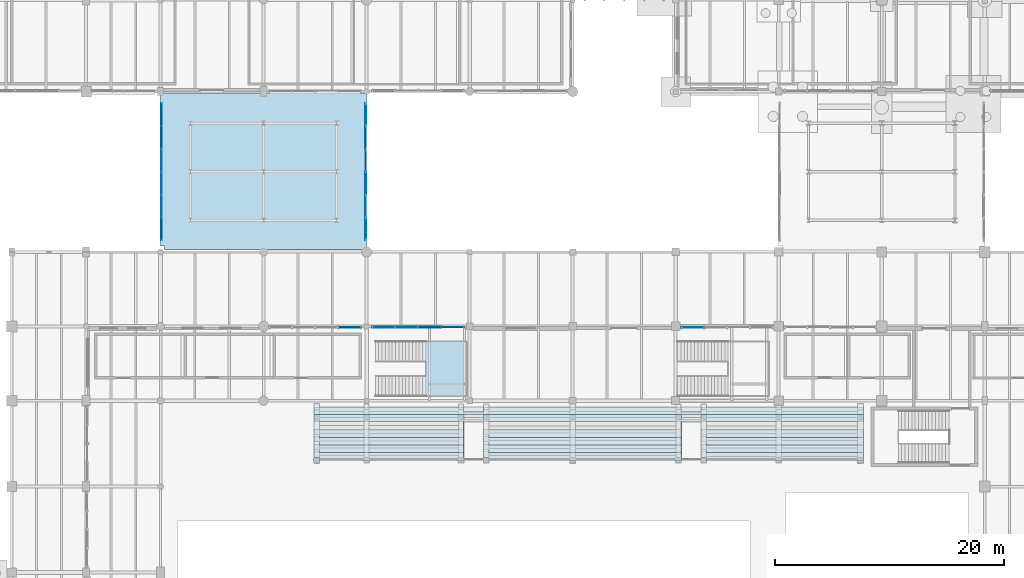
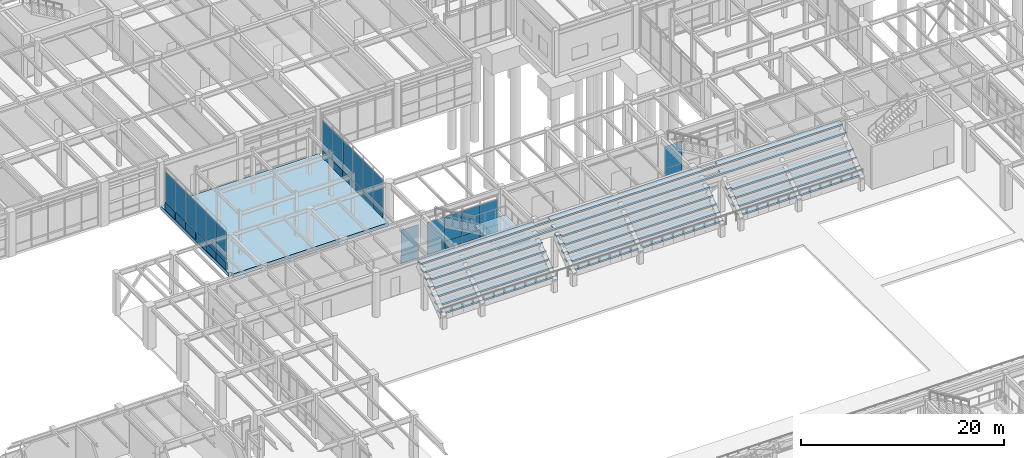
# One storey, part 155 of 203: 36 plates, 18 slabs, 6 elements without a shape of their own.
"""IFC4 building model written with IfcOpenShell, lengths in metres."""

from ifc_helpers import new_model, si_unit, direction, frame, origin, origin_2d, place, context, subcontext, project, spatial, polyline, rectangle, outline, extrude, material, layer, layer_set, type_object, element, aggregate, save


model = new_model("IFC4")

# Units and contexts
model_context = context("Model", 3, precision=1e-05, world=origin(), true_north=direction((0.0, 1.0)))
body_context = subcontext(model_context, "Body", "Model", "MODEL_VIEW")
ifc_project = project(units=[si_unit("LENGTHUNIT", "METRE"), si_unit("AREAUNIT", "SQUARE_METRE"), si_unit("VOLUMEUNIT", "CUBIC_METRE"), si_unit("PLANEANGLEUNIT", "RADIAN"), si_unit("MASSUNIT", "GRAM", prefix="KILO"), si_unit("THERMODYNAMICTEMPERATUREUNIT", "KELVIN"), si_unit("POWERUNIT", "WATT")], contexts=[model_context])

# Site, building, storey
site_placement = place(None, origin())
site = spatial("IfcSite", under=ifc_project, at=site_placement, CompositionType="ELEMENT")
building_placement = place(site_placement, origin())
building = spatial("IfcBuilding", under=site, at=building_placement, Name="Tepalcoro Natatorium and Aquatics Centre", CompositionType="ELEMENT")
storey_placement = place(building_placement, origin())
storey = spatial("IfcBuildingStorey", under=building, at=storey_placement, Name="L00", CompositionType="ELEMENT", Elevation=0.0)

# Curtain wall, plate
ifc_material_1 = material(Name="Bronze-Anodised Extruded Aluminium Alloy EN AW-6063 T6", Category="aluminium")
curtain_wall_type_1 = type_object("IfcCurtainWallType", Name="CW_LEAN_T2_NS", PredefinedType="USERDEFINED", material=ifc_material_1)
curtain_wall_1_placement = place(storey_placement, origin())
curtain_wall_1 = element("IfcCurtainWall", 1, at=curtain_wall_1_placement, inside=storey, type_object=curtain_wall_type_1, Name="V1 L00 N Unitised Curtain Wall Bay 3", ObjectType="FACETED SOLAR GLAZING", PredefinedType="USERDEFINED")
ifc_material_2 = material(Name="Solar-Control Bronze Tempered Low-E Double Glazing", Category="glass")
ifc_layer_1 = layer(ifc_material_2, 0.048095703125)
ifc_layer_set_1 = layer_set([ifc_layer_1], Name="Solar-Control Bronze Tempered Low-E Double Glazing")
plate_type_1 = type_object("IfcPlateType", Name="PL_ACOUSTIC_IGU_48", PredefinedType="CURTAIN_PANEL", material=ifc_layer_set_1)
plate_1_placement = place(storey_placement, frame((69.514892578125, 65.409912109375, 0.9599609375), z_axis=(0.0, 0.0, 1.0), x_axis=(1.0, 0.0, 0.0)))
plate_1 = element("IfcPlate", 2, at=plate_1_placement, type_object=plate_type_1, Name="CW_LEAN_T2_NS Insulated Glazing Unit", PredefinedType="CURTAIN_PANEL", context=body_context, shape_type="SweptSolid", body=[
    extrude(rectangle(XDim=1.989990234375, YDim=0.048095703125, at=origin_2d()), origin(), (0.0, 0.0, 1.0), 3.0830078125),
])

curtain_wall_type_2 = type_object("IfcCurtainWallType", Name="CW_LEAN_T2_EW", PredefinedType="USERDEFINED", material=ifc_material_1)
curtain_wall_2_placement = place(storey_placement, origin())
curtain_wall_2 = element("IfcCurtainWall", 3, at=curtain_wall_2_placement, inside=storey, type_object=curtain_wall_type_2, Name="V1 L00 N Unitised Curtain Wall Bay 4", ObjectType="FACETED SOLAR GLAZING", PredefinedType="USERDEFINED")
plate_2_placement = place(storey_placement, frame((76.5048828125, 65.419921875, 0.9599609375), z_axis=(0.0, 0.0, 1.0), x_axis=(1.0, 0.0, 0.0)))
plate_2 = element("IfcPlate", 4, at=plate_2_placement, type_object=plate_type_1, Name="CW_LEAN_T2_EW Insulated Glazing Unit", PredefinedType="CURTAIN_PANEL", context=body_context, shape_type="SweptSolid", body=[
    extrude(rectangle(XDim=1.989990234375, YDim=0.048095703125, at=origin_2d()), origin(), (0.0, 0.0, 1.0), 2.943115234375),
])

# Curtain wall, plates
curtain_wall_type_3 = type_object("IfcCurtainWallType", Name="CW_LINK_150", PredefinedType="USERDEFINED", material=ifc_material_1)
curtain_wall_3_placement = place(storey_placement, origin())
curtain_wall_3 = element("IfcCurtainWall", 5, at=curtain_wall_3_placement, inside=storey, type_object=curtain_wall_type_3, Name="West Court Swimmers Arcade Glazed Wall W L00", ObjectType="UNITISED STOREFRONT", PredefinedType="USERDEFINED")
plate_3_placement = place(storey_placement, frame((53.080078125, 78.0, 0.9599609375), z_axis=(0.0, 0.0, 1.0), x_axis=(1.0, 0.0, 0.0)))
plate_3 = element("IfcPlate", 6, at=plate_3_placement, type_object=plate_type_1, Name="CW_LINK_150 Insulated Glazing Unit", PredefinedType="CURTAIN_PANEL", context=body_context, shape_type="SweptSolid", body=[
    extrude(rectangle(XDim=0.048095703125, YDim=1.97998046875, at=origin_2d()), origin(), (0.0, 0.0, 1.0), 3.639892578125),
])
plate_4_placement = place(storey_placement, frame((53.080078125, 84.0, 0.9599609375), z_axis=(0.0, 0.0, 1.0), x_axis=(1.0, 0.0, 0.0)))
plate_4 = element("IfcPlate", 7, at=plate_4_placement, type_object=plate_type_1, Name="CW_LINK_150 Insulated Glazing Unit", PredefinedType="CURTAIN_PANEL", context=body_context, shape_type="SweptSolid", body=[
    extrude(rectangle(XDim=0.048095703125, YDim=1.97998046875, at=origin_2d()), origin(), (0.0, 0.0, 1.0), 3.639892578125),
])

curtain_wall_4_placement = place(storey_placement, origin())
curtain_wall_4 = element("IfcCurtainWall", 8, at=curtain_wall_4_placement, inside=storey, type_object=curtain_wall_type_3, Name="West Court Swimmers Arcade Glazed Wall E L00", ObjectType="UNITISED STOREFRONT", PredefinedType="USERDEFINED")
plate_5_placement = place(storey_placement, frame((70.919921875, 76.0, 0.9599609375), z_axis=(0.0, 0.0, 1.0), x_axis=(1.0, 0.0, 0.0)))
plate_5 = element("IfcPlate", 9, at=plate_5_placement, type_object=plate_type_1, Name="CW_LINK_150 Insulated Glazing Unit", PredefinedType="CURTAIN_PANEL", context=body_context, shape_type="SweptSolid", body=[
    extrude(rectangle(XDim=0.048095703125, YDim=1.97998046875, at=origin_2d()), origin(), (0.0, 0.0, 1.0), 3.639892578125),
])
plate_6_placement = place(storey_placement, frame((70.919921875, 82.0, 0.9599609375), z_axis=(0.0, 0.0, 1.0), x_axis=(1.0, 0.0, 0.0)))
plate_6 = element("IfcPlate", 10, at=plate_6_placement, type_object=plate_type_1, Name="CW_LINK_150 Insulated Glazing Unit", PredefinedType="CURTAIN_PANEL", context=body_context, shape_type="SweptSolid", body=[
    extrude(rectangle(XDim=0.048095703125, YDim=1.97998046875, at=origin_2d()), origin(), (0.0, 0.0, 1.0), 3.639892578125),
])

# Plate
ifc_layer_2 = layer(ifc_material_2, 0.028076171875)
ifc_layer_set_2 = layer_set([ifc_layer_2], Name="Solar-Control Bronze Tempered Low-E Double Glazing")
plate_type_2 = type_object("IfcPlateType", Name="PL_BRONZE_IGU_28", PredefinedType="CURTAIN_PANEL", material=ifc_layer_set_2)
plate_7_placement = place(storey_placement, frame((74.4951171875, 65.419921875, 0.9599609375), z_axis=(0.0, 0.0, 1.0), x_axis=(1.0, 0.0, 0.0)))
plate_7 = element("IfcPlate", 11, at=plate_7_placement, type_object=plate_type_2, Name="CW_LEAN_T2_EW Insulated Glazing Unit", PredefinedType="CURTAIN_PANEL", context=body_context, shape_type="SweptSolid", body=[
    extrude(rectangle(XDim=1.989990234375, YDim=0.028076171875, at=origin_2d()), origin(), (0.0, 0.0, 1.0), 2.943115234375),
])

# Curtain wall, plate
curtain_wall_type_4 = type_object("IfcCurtainWallType", Name="CW_V3_FOYER", PredefinedType="USERDEFINED", material=ifc_material_1)
curtain_wall_5_placement = place(storey_placement, origin())
curtain_wall_5 = element("IfcCurtainWall", 12, at=curtain_wall_5_placement, inside=storey, type_object=curtain_wall_type_4, Name="V1 L00 N Unitised Curtain Wall Bay 7", ObjectType="UNITISED STOREFRONT", PredefinedType="USERDEFINED")
plate_8_placement = place(storey_placement, frame((99.485107421875, 65.409912109375, 0.9599609375), z_axis=(0.0, 0.0, 1.0), x_axis=(1.0, 0.0, 0.0)))
plate_8 = element("IfcPlate", 13, at=plate_8_placement, type_object=plate_type_2, Name="CW_V3_FOYER Insulated Glazing Unit", PredefinedType="CURTAIN_PANEL", context=body_context, shape_type="SweptSolid", body=[
    extrude(rectangle(XDim=1.989990234375, YDim=0.028076171875, at=origin_2d()), origin(), (0.0, 0.0, 1.0), 2.631103515625),
])

# Plate
plate_9_placement = place(storey_placement, frame((53.080078125, 76.0, 0.9599609375), z_axis=(0.0, 0.0, 1.0), x_axis=(1.0, 0.0, 0.0)))
plate_9 = element("IfcPlate", 14, at=plate_9_placement, type_object=plate_type_2, Name="CW_LINK_150 Insulated Glazing Unit", PredefinedType="CURTAIN_PANEL", context=body_context, shape_type="SweptSolid", body=[
    extrude(rectangle(XDim=0.028076171875, YDim=1.97998046875, at=origin_2d()), origin(), (0.0, 0.0, 1.0), 3.639892578125),
])

plate_10_placement = place(storey_placement, frame((53.080078125, 82.0, 0.9599609375), z_axis=(0.0, 0.0, 1.0), x_axis=(1.0, 0.0, 0.0)))
plate_10 = element("IfcPlate", 15, at=plate_10_placement, type_object=plate_type_2, Name="CW_LINK_150 Insulated Glazing Unit", PredefinedType="CURTAIN_PANEL", context=body_context, shape_type="SweptSolid", body=[
    extrude(rectangle(XDim=0.028076171875, YDim=1.97998046875, at=origin_2d()), origin(), (0.0, 0.0, 1.0), 3.639892578125),
])

plate_11_placement = place(storey_placement, frame((70.919921875, 74.0, 0.9599609375), z_axis=(0.0, 0.0, 1.0), x_axis=(1.0, 0.0, 0.0)))
plate_11 = element("IfcPlate", 16, at=plate_11_placement, type_object=plate_type_2, Name="CW_LINK_150 Insulated Glazing Unit", PredefinedType="CURTAIN_PANEL", context=body_context, shape_type="SweptSolid", body=[
    extrude(rectangle(XDim=0.028076171875, YDim=1.97998046875, at=origin_2d()), origin(), (0.0, 0.0, 1.0), 3.639892578125),
])

plate_12_placement = place(storey_placement, frame((70.919921875, 80.0, 0.9599609375), z_axis=(0.0, 0.0, 1.0), x_axis=(1.0, 0.0, 0.0)))
plate_12 = element("IfcPlate", 17, at=plate_12_placement, type_object=plate_type_2, Name="CW_LINK_150 Insulated Glazing Unit", PredefinedType="CURTAIN_PANEL", context=body_context, shape_type="SweptSolid", body=[
    extrude(rectangle(XDim=0.028076171875, YDim=1.97998046875, at=origin_2d()), origin(), (0.0, 0.0, 1.0), 3.639892578125),
])

ifc_material_3 = material(Name="Jalisco Cantera Rosa Volcanic Tuff Ashlar Masonry", Category="masonry")
ifc_layer_3 = layer(ifc_material_3, 0.090087890625)
ifc_layer_set_3 = layer_set([ifc_layer_3], Name="Jalisco Cantera Rosa Volcanic Tuff Ashlar Masonry")
plate_type_3 = type_object("IfcPlateType", Name="PL_CANTERA_90", PredefinedType="SHEET", material=ifc_layer_set_3)
plate_13_placement = place(storey_placement, frame((69.514892578125, 65.409912109375, 0.044921875), z_axis=(0.0, 0.0, 1.0), x_axis=(1.0, 0.0, 0.0)))
plate_13 = element("IfcPlate", 18, at=plate_13_placement, type_object=plate_type_3, Name="CW_LEAN_T2_NS Spandrel & Screen Panel", PredefinedType="SHEET", context=body_context, shape_type="SweptSolid", body=[
    extrude(rectangle(XDim=1.989990234375, YDim=0.090087890625, at=origin_2d()), origin(), (0.0, 0.0, 1.0), 0.909912109375),
])

aggregate(curtain_wall_1, [plate_1, plate_13])

plate_14_placement = place(storey_placement, frame((76.5048828125, 65.419921875, 0.044921875), z_axis=(0.0, 0.0, 1.0), x_axis=(1.0, 0.0, 0.0)))
plate_14 = element("IfcPlate", 19, at=plate_14_placement, type_object=plate_type_3, Name="CW_LEAN_T2_EW Spandrel & Screen Panel", PredefinedType="SHEET", context=body_context, shape_type="SweptSolid", body=[
    extrude(rectangle(XDim=1.989990234375, YDim=0.090087890625, at=origin_2d()), origin(), (0.0, 0.0, 1.0), 0.909912109375),
])

plate_15_placement = place(storey_placement, frame((53.080078125, 82.0, 0.044921875), z_axis=(0.0, 0.0, 1.0), x_axis=(1.0, 0.0, 0.0)))
plate_15 = element("IfcPlate", 20, at=plate_15_placement, type_object=plate_type_3, Name="CW_LINK_150 Spandrel & Screen Panel", PredefinedType="SHEET", context=body_context, shape_type="SweptSolid", body=[
    extrude(rectangle(XDim=0.090087890625, YDim=1.97998046875, at=origin_2d()), origin(), (0.0, 0.0, 1.0), 0.909912109375),
])

plate_16_placement = place(storey_placement, frame((70.919921875, 80.0, 0.044921875), z_axis=(0.0, 0.0, 1.0), x_axis=(1.0, 0.0, 0.0)))
plate_16 = element("IfcPlate", 21, at=plate_16_placement, type_object=plate_type_3, Name="CW_LINK_150 Spandrel & Screen Panel", PredefinedType="SHEET", context=body_context, shape_type="SweptSolid", body=[
    extrude(rectangle(XDim=0.090087890625, YDim=1.97998046875, at=origin_2d()), origin(), (0.0, 0.0, 1.0), 0.909912109375),
])

ifc_material_4 = material(Name="Clear Tempered Low-E Safety Glazing", Category="glass")
ifc_layer_4 = layer(ifc_material_4, 0.011962890625)
ifc_layer_set_4 = layer_set([ifc_layer_4], Name="Clear Tempered Low-E Safety Glazing")
plate_type_4 = type_object("IfcPlateType", Name="PL_GLASS_12", PredefinedType="CURTAIN_PANEL", material=ifc_layer_set_4)
plate_17_placement = place(storey_placement, frame((72.485107421875, 65.419921875, 0.9599609375), z_axis=(0.0, 0.0, 1.0), x_axis=(1.0, 0.0, 0.0)))
plate_17 = element("IfcPlate", 22, at=plate_17_placement, type_object=plate_type_4, Name="CW_LEAN_T2_EW Insulated Glazing Unit", PredefinedType="CURTAIN_PANEL", context=body_context, shape_type="SweptSolid", body=[
    extrude(rectangle(XDim=1.989990234375, YDim=0.011962890625, at=origin_2d()), origin(), (0.0, 0.0, 1.0), 2.943115234375),
])

plate_18_placement = place(storey_placement, frame((78.514892578125, 65.419921875, 0.9599609375), z_axis=(0.0, 0.0, 1.0), x_axis=(1.0, 0.0, 0.0)))
plate_18 = element("IfcPlate", 23, at=plate_18_placement, type_object=plate_type_4, Name="CW_LEAN_T2_EW Insulated Glazing Unit", PredefinedType="CURTAIN_PANEL", context=body_context, shape_type="SweptSolid", body=[
    extrude(rectangle(XDim=1.989990234375, YDim=0.011962890625, at=origin_2d()), origin(), (0.0, 0.0, 1.0), 2.943115234375),
])

plate_19_placement = place(storey_placement, frame((53.080078125, 74.0, 0.9599609375), z_axis=(0.0, 0.0, 1.0), x_axis=(1.0, 0.0, 0.0)))
plate_19 = element("IfcPlate", 24, at=plate_19_placement, type_object=plate_type_4, Name="CW_LINK_150 Insulated Glazing Unit", PredefinedType="CURTAIN_PANEL", context=body_context, shape_type="SweptSolid", body=[
    extrude(rectangle(XDim=0.011962890625, YDim=1.97998046875, at=origin_2d()), origin(), (0.0, 0.0, 1.0), 3.639892578125),
])

plate_20_placement = place(storey_placement, frame((53.080078125, 80.0, 0.9599609375), z_axis=(0.0, 0.0, 1.0), x_axis=(1.0, 0.0, 0.0)))
plate_20 = element("IfcPlate", 25, at=plate_20_placement, type_object=plate_type_4, Name="CW_LINK_150 Insulated Glazing Unit", PredefinedType="CURTAIN_PANEL", context=body_context, shape_type="SweptSolid", body=[
    extrude(rectangle(XDim=0.011962890625, YDim=1.97998046875, at=origin_2d()), origin(), (0.0, 0.0, 1.0), 3.639892578125),
])

plate_21_placement = place(storey_placement, frame((70.919921875, 78.0, 0.9599609375), z_axis=(0.0, 0.0, 1.0), x_axis=(1.0, 0.0, 0.0)))
plate_21 = element("IfcPlate", 26, at=plate_21_placement, type_object=plate_type_4, Name="CW_LINK_150 Insulated Glazing Unit", PredefinedType="CURTAIN_PANEL", context=body_context, shape_type="SweptSolid", body=[
    extrude(rectangle(XDim=0.011962890625, YDim=1.97998046875, at=origin_2d()), origin(), (0.0, 0.0, 1.0), 3.639892578125),
])

plate_22_placement = place(storey_placement, frame((70.919921875, 84.0, 0.9599609375), z_axis=(0.0, 0.0, 1.0), x_axis=(1.0, 0.0, 0.0)))
plate_22 = element("IfcPlate", 27, at=plate_22_placement, type_object=plate_type_4, Name="CW_LINK_150 Insulated Glazing Unit", PredefinedType="CURTAIN_PANEL", context=body_context, shape_type="SweptSolid", body=[
    extrude(rectangle(XDim=0.011962890625, YDim=1.97998046875, at=origin_2d()), origin(), (0.0, 0.0, 1.0), 3.639892578125),
])

ifc_material_5 = material(Name="Volcanic Recinto Basalt Ashlar Masonry", Category="masonry")
ifc_layer_5 = layer(ifc_material_5, 0.110107421875)
ifc_layer_set_5 = layer_set([ifc_layer_5], Name="Volcanic Recinto Basalt Ashlar Masonry")
plate_type_5 = type_object("IfcPlateType", Name="PL_RECINTO_110", PredefinedType="SHEET", material=ifc_layer_set_5)
plate_23_placement = place(storey_placement, frame((78.514892578125, 65.419921875, 0.044921875), z_axis=(0.0, 0.0, 1.0), x_axis=(1.0, 0.0, 0.0)))
plate_23 = element("IfcPlate", 28, at=plate_23_placement, type_object=plate_type_5, Name="CW_LEAN_T2_EW Spandrel & Screen Panel", PredefinedType="SHEET", context=body_context, shape_type="SweptSolid", body=[
    extrude(rectangle(XDim=1.989990234375, YDim=0.110107421875, at=origin_2d()), origin(), (0.0, 0.0, 1.0), 0.909912109375),
])

plate_24_placement = place(storey_placement, frame((53.080078125, 74.0, 0.044921875), z_axis=(0.0, 0.0, 1.0), x_axis=(1.0, 0.0, 0.0)))
plate_24 = element("IfcPlate", 29, at=plate_24_placement, type_object=plate_type_5, Name="CW_LINK_150 Spandrel & Screen Panel", PredefinedType="SHEET", context=body_context, shape_type="SweptSolid", body=[
    extrude(rectangle(XDim=0.110107421875, YDim=1.97998046875, at=origin_2d()), origin(), (0.0, 0.0, 1.0), 0.909912109375),
])

plate_25_placement = place(storey_placement, frame((53.080078125, 84.0, 0.044921875), z_axis=(0.0, 0.0, 1.0), x_axis=(1.0, 0.0, 0.0)))
plate_25 = element("IfcPlate", 30, at=plate_25_placement, type_object=plate_type_5, Name="CW_LINK_150 Spandrel & Screen Panel", PredefinedType="SHEET", context=body_context, shape_type="SweptSolid", body=[
    extrude(rectangle(XDim=0.110107421875, YDim=1.97998046875, at=origin_2d()), origin(), (0.0, 0.0, 1.0), 0.909912109375),
])

plate_26_placement = place(storey_placement, frame((70.919921875, 82.0, 0.044921875), z_axis=(0.0, 0.0, 1.0), x_axis=(1.0, 0.0, 0.0)))
plate_26 = element("IfcPlate", 31, at=plate_26_placement, type_object=plate_type_5, Name="CW_LINK_150 Spandrel & Screen Panel", PredefinedType="SHEET", context=body_context, shape_type="SweptSolid", body=[
    extrude(rectangle(XDim=0.110107421875, YDim=1.97998046875, at=origin_2d()), origin(), (0.0, 0.0, 1.0), 0.909912109375),
])

ifc_layer_6 = layer(ifc_material_1, 0.050048828125)
ifc_layer_set_6 = layer_set([ifc_layer_6], Name="Bronze-Anodised Extruded Aluminium Alloy EN AW-6063 T6")
plate_type_6 = type_object("IfcPlateType", Name="PL_SCREEN_50", PredefinedType="SHEET", material=ifc_layer_set_6)
plate_27_placement = place(storey_placement, frame((72.485107421875, 65.419921875, 0.044921875), z_axis=(0.0, 0.0, 1.0), x_axis=(1.0, 0.0, 0.0)))
plate_27 = element("IfcPlate", 32, at=plate_27_placement, type_object=plate_type_6, Name="CW_LEAN_T2_EW Spandrel & Screen Panel", PredefinedType="SHEET", context=body_context, shape_type="SweptSolid", body=[
    extrude(rectangle(XDim=1.989990234375, YDim=0.050048828125, at=origin_2d()), origin(), (0.0, 0.0, 1.0), 0.909912109375),
])

plate_28_placement = place(storey_placement, frame((53.080078125, 78.0, 0.044921875), z_axis=(0.0, 0.0, 1.0), x_axis=(1.0, 0.0, 0.0)))
plate_28 = element("IfcPlate", 33, at=plate_28_placement, type_object=plate_type_6, Name="CW_LINK_150 Spandrel & Screen Panel", PredefinedType="SHEET", context=body_context, shape_type="SweptSolid", body=[
    extrude(rectangle(XDim=0.050048828125, YDim=1.97998046875, at=origin_2d()), origin(), (0.0, 0.0, 1.0), 0.909912109375),
])

plate_29_placement = place(storey_placement, frame((70.919921875, 76.0, 0.044921875), z_axis=(0.0, 0.0, 1.0), x_axis=(1.0, 0.0, 0.0)))
plate_29 = element("IfcPlate", 34, at=plate_29_placement, type_object=plate_type_6, Name="CW_LINK_150 Spandrel & Screen Panel", PredefinedType="SHEET", context=body_context, shape_type="SweptSolid", body=[
    extrude(rectangle(XDim=0.050048828125, YDim=1.97998046875, at=origin_2d()), origin(), (0.0, 0.0, 1.0), 0.909912109375),
])

ifc_layer_7 = layer(ifc_material_1, 0.06005859375)
ifc_layer_set_7 = layer_set([ifc_layer_7], Name="Bronze-Anodised Extruded Aluminium Alloy EN AW-6063 T6")
plate_type_7 = type_object("IfcPlateType", Name="PL_SCREEN_60", PredefinedType="SHEET", material=ifc_layer_set_7)
plate_30_placement = place(storey_placement, frame((74.4951171875, 65.419921875, 0.044921875), z_axis=(0.0, 0.0, 1.0), x_axis=(1.0, 0.0, 0.0)))
plate_30 = element("IfcPlate", 35, at=plate_30_placement, type_object=plate_type_7, Name="CW_LEAN_T2_EW Spandrel & Screen Panel", PredefinedType="SHEET", context=body_context, shape_type="SweptSolid", body=[
    extrude(rectangle(XDim=1.989990234375, YDim=0.06005859375, at=origin_2d()), origin(), (0.0, 0.0, 1.0), 0.909912109375),
])

aggregate(curtain_wall_2, [plate_17, plate_27, plate_7, plate_30, plate_2, plate_14, plate_18, plate_23])

plate_31_placement = place(storey_placement, frame((99.485107421875, 65.409912109375, 0.044921875), z_axis=(0.0, 0.0, 1.0), x_axis=(1.0, 0.0, 0.0)))
plate_31 = element("IfcPlate", 36, at=plate_31_placement, type_object=plate_type_7, Name="CW_V3_FOYER Spandrel & Screen Panel", PredefinedType="SHEET", context=body_context, shape_type="SweptSolid", body=[
    extrude(rectangle(XDim=1.989990234375, YDim=0.06005859375, at=origin_2d()), origin(), (0.0, 0.0, 1.0), 0.909912109375),
])

aggregate(curtain_wall_5, [plate_8, plate_31])

plate_32_placement = place(storey_placement, frame((53.080078125, 80.0, 0.044921875), z_axis=(0.0, 0.0, 1.0), x_axis=(1.0, 0.0, 0.0)))
plate_32 = element("IfcPlate", 37, at=plate_32_placement, type_object=plate_type_7, Name="CW_LINK_150 Spandrel & Screen Panel", PredefinedType="SHEET", context=body_context, shape_type="SweptSolid", body=[
    extrude(rectangle(XDim=0.06005859375, YDim=1.97998046875, at=origin_2d()), origin(), (0.0, 0.0, 1.0), 0.909912109375),
])

plate_33_placement = place(storey_placement, frame((70.919921875, 78.0, 0.044921875), z_axis=(0.0, 0.0, 1.0), x_axis=(1.0, 0.0, 0.0)))
plate_33 = element("IfcPlate", 38, at=plate_33_placement, type_object=plate_type_7, Name="CW_LINK_150 Spandrel & Screen Panel", PredefinedType="SHEET", context=body_context, shape_type="SweptSolid", body=[
    extrude(rectangle(XDim=0.06005859375, YDim=1.97998046875, at=origin_2d()), origin(), (0.0, 0.0, 1.0), 0.909912109375),
])

ifc_material_6 = material(Name="Insulated Bronze Anodised Aluminium Spandrel Panel", Category="aluminium")
ifc_layer_8 = layer(ifc_material_6, 0.070068359375)
ifc_layer_set_8 = layer_set([ifc_layer_8], Name="Insulated Bronze Anodised Aluminium Spandrel Panel")
plate_type_8 = type_object("IfcPlateType", Name="PL_SPANDREL_70", PredefinedType="CURTAIN_PANEL", material=ifc_layer_set_8)
plate_34_placement = place(storey_placement, frame((53.080078125, 76.0, 0.044921875), z_axis=(0.0, 0.0, 1.0), x_axis=(1.0, 0.0, 0.0)))
plate_34 = element("IfcPlate", 39, at=plate_34_placement, type_object=plate_type_8, Name="CW_LINK_150 Spandrel & Screen Panel", PredefinedType="CURTAIN_PANEL", context=body_context, shape_type="SweptSolid", body=[
    extrude(rectangle(XDim=0.070068359375, YDim=1.97998046875, at=origin_2d()), origin(), (0.0, 0.0, 1.0), 0.909912109375),
])

aggregate(curtain_wall_3, [plate_19, plate_24, plate_9, plate_34, plate_3, plate_28, plate_20, plate_32, plate_10, plate_15, plate_4, plate_25])

plate_35_placement = place(storey_placement, frame((70.919921875, 74.0, 0.044921875), z_axis=(0.0, 0.0, 1.0), x_axis=(1.0, 0.0, 0.0)))
plate_35 = element("IfcPlate", 40, at=plate_35_placement, type_object=plate_type_8, Name="CW_LINK_150 Spandrel & Screen Panel", PredefinedType="CURTAIN_PANEL", context=body_context, shape_type="SweptSolid", body=[
    extrude(rectangle(XDim=0.070068359375, YDim=1.97998046875, at=origin_2d()), origin(), (0.0, 0.0, 1.0), 0.909912109375),
])

plate_36_placement = place(storey_placement, frame((70.919921875, 84.0, 0.044921875), z_axis=(0.0, 0.0, 1.0), x_axis=(1.0, 0.0, 0.0)))
plate_36 = element("IfcPlate", 41, at=plate_36_placement, type_object=plate_type_8, Name="CW_LINK_150 Spandrel & Screen Panel", PredefinedType="CURTAIN_PANEL", context=body_context, shape_type="SweptSolid", body=[
    extrude(rectangle(XDim=0.070068359375, YDim=1.97998046875, at=origin_2d()), origin(), (0.0, 0.0, 1.0), 0.909912109375),
])

aggregate(curtain_wall_4, [plate_11, plate_35, plate_5, plate_29, plate_21, plate_33, plate_12, plate_16, plate_6, plate_26, plate_22, plate_36])

# Slab
ifc_material_7 = material(Name="Concrete C40/50 (fc 40 MPa)", Category="concrete")
ifc_layer_9 = layer(ifc_material_7, 0.419921875)
ifc_layer_set_9 = layer_set([ifc_layer_9], Name="Concrete C40/50 (fc 40 MPa)")
slab_type_1 = type_object("IfcSlabType", Name="SL_BASE_420", PredefinedType="BASESLAB", material=ifc_layer_set_9)
slab_1_placement = place(storey_placement, frame((0.0, 0.0, -0.419921875)))
element("IfcSlab", 42, at=slab_1_placement, inside=storey, type_object=slab_type_1, Name="West Court Swimmers Arcade L00 Slab", PredefinedType="BASESLAB", context=body_context, shape_type="SweptSolid", body=[
    extrude(outline(polyline([(53.0, 85.85009765625), (71.0, 85.85009765625), (71.0, 72.14990234375), (53.35009765625, 72.14990234375), (53.35009765625, 72.5), (53.0, 72.5), (53.0, 85.85009765625)])), origin(), (0.0, 0.0, 1.0), 0.419921875),
])

# Stair, slab
ifc_material_8 = material(Name="Concrete C35/45 (fc 35 MPa)", Category="concrete")
stair_type = type_object("IfcStairType", Name="ST_ST_1800_VOM1", PredefinedType="STRAIGHT_RUN_STAIR", material=ifc_material_8)
stair_placement = place(storey_placement, origin())
stair = element("IfcStair", 43, at=stair_placement, inside=storey, type_object=stair_type, Name="Spectator Concourse Vomitory Stair NW", PredefinedType="STRAIGHT_RUN_STAIR")
ifc_layer_10 = layer(ifc_material_8, 0.199951171875)
ifc_layer_set_10 = layer_set([ifc_layer_10], Name="Concrete C35/45 (fc 35 MPa)")
slab_type_2 = type_object("IfcSlabType", Name="SL_LANDING_200", PredefinedType="LANDING", material=ifc_layer_set_10)
slab_2_placement = place(storey_placement, frame((0.0, 0.0, 2.5)))
slab_2 = element("IfcSlab", 44, at=slab_2_placement, type_object=slab_type_2, Name="Spectator Concourse Vomitory Stair NW Half-Landing", PredefinedType="LANDING", context=body_context, shape_type="SweptSolid", body=[
    extrude(outline(polyline([(76.14501953125, 59.3701171875), (79.780029296875, 59.3701171875), (79.780029296875, 64.22998046875), (76.14501953125, 64.22998046875), (76.14501953125, 59.3701171875)])), origin(), (0.0, 0.0, 1.0), 0.199951171875),
])
aggregate(stair, [slab_2])

# Slabs
ifc_layer_11 = layer(ifc_material_7, 0.179931640625)
ifc_layer_set_11 = layer_set([ifc_layer_11], Name="Concrete C40/50 (fc 40 MPa)")
slab_type_3 = type_object("IfcSlabType", Name="SL_TIER_180", PredefinedType="USERDEFINED", material=ifc_layer_set_11)
slab_3_placement = place(storey_placement, frame((0.0, 0.0, 1.6201171875)))
element("IfcSlab", 45, at=slab_3_placement, inside=storey, type_object=slab_type_3, Name="Spectator Bowl N Precast Seating Tier 1-W", ObjectType="SEATING TIER", PredefinedType="USERDEFINED", context=body_context, shape_type="SweptSolid", body=[
    extrude(outline(polyline([(66.39990234375, 54.544189453125), (79.5, 54.544189453125), (79.5, 53.800048828125), (66.85009765625, 53.800048828125), (66.85009765625, 54.050048828125), (66.39990234375, 54.050048828125), (66.39990234375, 54.544189453125)])), origin(), (0.0, 0.0, 1.0), 0.179931640625),
])
slab_4_placement = place(storey_placement, frame((0.0, 0.0, 1.6201171875)))
element("IfcSlab", 46, at=slab_4_placement, inside=storey, type_object=slab_type_3, Name="Spectator Bowl N Precast Seating Tier 1-C", ObjectType="SEATING TIER", PredefinedType="USERDEFINED", context=body_context, shape_type="SweptSolid", body=[
    extrude(outline(polyline([(81.199951171875, 54.544189453125), (98.5, 54.544189453125), (98.5, 53.800048828125), (81.64990234375, 53.800048828125), (81.64990234375, 54.050048828125), (81.199951171875, 54.050048828125), (81.199951171875, 54.544189453125)])), origin(), (0.0, 0.0, 1.0), 0.179931640625),
])
slab_5_placement = place(storey_placement, frame((0.0, 0.0, 1.6201171875)))
element("IfcSlab", 47, at=slab_5_placement, inside=storey, type_object=slab_type_3, Name="Spectator Bowl N Precast Seating Tier 1-E", ObjectType="SEATING TIER", PredefinedType="USERDEFINED", context=body_context, shape_type="SweptSolid", body=[
    extrude(outline(polyline([(100.199951171875, 54.544189453125), (114.39990234375, 54.544189453125), (114.39990234375, 53.800048828125), (100.64990234375, 53.800048828125), (100.64990234375, 54.050048828125), (100.199951171875, 54.050048828125), (100.199951171875, 54.544189453125)])), origin(), (0.0, 0.0, 1.0), 0.179931640625),
])
slab_6_placement = place(storey_placement, frame((0.0, 0.0, 2.219970703125)))
element("IfcSlab", 48, at=slab_6_placement, inside=storey, type_object=slab_type_3, Name="Spectator Bowl N Precast Seating Tier 2-W", ObjectType="SEATING TIER", PredefinedType="USERDEFINED", context=body_context, shape_type="SweptSolid", body=[
    extrude(outline(polyline([(66.39990234375, 55.20849609375), (79.5, 55.20849609375), (79.5, 54.46435546875), (66.85009765625, 54.46435546875), (66.85009765625, 54.71435546875), (66.39990234375, 54.71435546875), (66.39990234375, 55.20849609375)])), origin(), (0.0, 0.0, 1.0), 0.179931640625),
])
slab_7_placement = place(storey_placement, frame((0.0, 0.0, 2.219970703125)))
element("IfcSlab", 49, at=slab_7_placement, inside=storey, type_object=slab_type_3, Name="Spectator Bowl N Precast Seating Tier 2-C", ObjectType="SEATING TIER", PredefinedType="USERDEFINED", context=body_context, shape_type="SweptSolid", body=[
    extrude(outline(polyline([(81.199951171875, 55.20849609375), (98.5, 55.20849609375), (98.5, 54.46435546875), (81.64990234375, 54.46435546875), (81.64990234375, 54.71435546875), (81.199951171875, 54.71435546875), (81.199951171875, 55.20849609375)])), origin(), (0.0, 0.0, 1.0), 0.179931640625),
])
slab_8_placement = place(storey_placement, frame((0.0, 0.0, 2.219970703125)))
element("IfcSlab", 50, at=slab_8_placement, inside=storey, type_object=slab_type_3, Name="Spectator Bowl N Precast Seating Tier 2-E", ObjectType="SEATING TIER", PredefinedType="USERDEFINED", context=body_context, shape_type="SweptSolid", body=[
    extrude(outline(polyline([(100.199951171875, 55.20849609375), (114.39990234375, 55.20849609375), (114.39990234375, 54.46435546875), (100.64990234375, 54.46435546875), (100.64990234375, 54.71435546875), (100.199951171875, 54.71435546875), (100.199951171875, 55.20849609375)])), origin(), (0.0, 0.0, 1.0), 0.179931640625),
])
slab_9_placement = place(storey_placement, frame((0.0, 0.0, 2.820068359375)))
element("IfcSlab", 51, at=slab_9_placement, inside=storey, type_object=slab_type_3, Name="Spectator Bowl N Precast Seating Tier 3-W", ObjectType="SEATING TIER", PredefinedType="USERDEFINED", context=body_context, shape_type="SweptSolid", body=[
    extrude(outline(polyline([(66.39990234375, 55.872802734375), (79.5, 55.872802734375), (79.5, 55.128662109375), (66.85009765625, 55.128662109375), (66.85009765625, 55.378662109375), (66.39990234375, 55.378662109375), (66.39990234375, 55.872802734375)])), origin(), (0.0, 0.0, 1.0), 0.179931640625),
])
slab_10_placement = place(storey_placement, frame((0.0, 0.0, 2.820068359375)))
element("IfcSlab", 52, at=slab_10_placement, inside=storey, type_object=slab_type_3, Name="Spectator Bowl N Precast Seating Tier 3-C", ObjectType="SEATING TIER", PredefinedType="USERDEFINED", context=body_context, shape_type="SweptSolid", body=[
    extrude(outline(polyline([(81.199951171875, 55.872802734375), (98.5, 55.872802734375), (98.5, 55.128662109375), (81.64990234375, 55.128662109375), (81.64990234375, 55.378662109375), (81.199951171875, 55.378662109375), (81.199951171875, 55.872802734375)])), origin(), (0.0, 0.0, 1.0), 0.179931640625),
])
slab_11_placement = place(storey_placement, frame((0.0, 0.0, 2.820068359375)))
element("IfcSlab", 53, at=slab_11_placement, inside=storey, type_object=slab_type_3, Name="Spectator Bowl N Precast Seating Tier 3-E", ObjectType="SEATING TIER", PredefinedType="USERDEFINED", context=body_context, shape_type="SweptSolid", body=[
    extrude(outline(polyline([(100.199951171875, 55.872802734375), (114.39990234375, 55.872802734375), (114.39990234375, 55.128662109375), (100.64990234375, 55.128662109375), (100.64990234375, 55.378662109375), (100.199951171875, 55.378662109375), (100.199951171875, 55.872802734375)])), origin(), (0.0, 0.0, 1.0), 0.179931640625),
])
slab_12_placement = place(storey_placement, frame((0.0, 0.0, 3.419921875)))
element("IfcSlab", 54, at=slab_12_placement, inside=storey, type_object=slab_type_3, Name="Spectator Bowl N Precast Seating Tier 4-W", ObjectType="SEATING TIER", PredefinedType="USERDEFINED", context=body_context, shape_type="SweptSolid", body=[
    extrude(outline(polyline([(66.39990234375, 56.537109375), (79.5, 56.537109375), (79.5, 55.79296875), (66.85009765625, 55.79296875), (66.85009765625, 56.04296875), (66.39990234375, 56.04296875), (66.39990234375, 56.537109375)])), origin(), (0.0, 0.0, 1.0), 0.18017578125),
])
slab_13_placement = place(storey_placement, frame((0.0, 0.0, 3.419921875)))
element("IfcSlab", 55, at=slab_13_placement, inside=storey, type_object=slab_type_3, Name="Spectator Bowl N Precast Seating Tier 4-C", ObjectType="SEATING TIER", PredefinedType="USERDEFINED", context=body_context, shape_type="SweptSolid", body=[
    extrude(outline(polyline([(81.199951171875, 56.537109375), (98.5, 56.537109375), (98.5, 55.79296875), (81.64990234375, 55.79296875), (81.64990234375, 56.04296875), (81.199951171875, 56.04296875), (81.199951171875, 56.537109375)])), origin(), (0.0, 0.0, 1.0), 0.18017578125),
])
slab_14_placement = place(storey_placement, frame((0.0, 0.0, 3.419921875)))
element("IfcSlab", 56, at=slab_14_placement, inside=storey, type_object=slab_type_3, Name="Spectator Bowl N Precast Seating Tier 4-E", ObjectType="SEATING TIER", PredefinedType="USERDEFINED", context=body_context, shape_type="SweptSolid", body=[
    extrude(outline(polyline([(100.199951171875, 56.537109375), (114.39990234375, 56.537109375), (114.39990234375, 55.79296875), (100.64990234375, 55.79296875), (100.64990234375, 56.04296875), (100.199951171875, 56.04296875), (100.199951171875, 56.537109375)])), origin(), (0.0, 0.0, 1.0), 0.18017578125),
])
slab_15_placement = place(storey_placement, frame((0.0, 0.0, 4.02001953125)))
element("IfcSlab", 57, at=slab_15_placement, inside=storey, type_object=slab_type_3, Name="Spectator Bowl N Precast Seating Tier 5-W", ObjectType="SEATING TIER", PredefinedType="USERDEFINED", context=body_context, shape_type="SweptSolid", body=[
    extrude(outline(polyline([(66.39990234375, 57.201416015625), (79.5, 57.201416015625), (79.5, 56.45703125), (66.85009765625, 56.45703125), (66.85009765625, 56.70703125), (66.39990234375, 56.70703125), (66.39990234375, 57.201416015625)])), origin(), (0.0, 0.0, 1.0), 0.179931640625),
])
slab_16_placement = place(storey_placement, frame((0.0, 0.0, 4.02001953125)))
element("IfcSlab", 58, at=slab_16_placement, inside=storey, type_object=slab_type_3, Name="Spectator Bowl N Precast Seating Tier 5-C", ObjectType="SEATING TIER", PredefinedType="USERDEFINED", context=body_context, shape_type="SweptSolid", body=[
    extrude(outline(polyline([(81.199951171875, 57.201416015625), (98.5, 57.201416015625), (98.5, 56.45703125), (81.64990234375, 56.45703125), (81.64990234375, 56.70703125), (81.199951171875, 56.70703125), (81.199951171875, 57.201416015625)])), origin(), (0.0, 0.0, 1.0), 0.179931640625),
])
slab_17_placement = place(storey_placement, frame((0.0, 0.0, 4.6201171875)))
element("IfcSlab", 59, at=slab_17_placement, inside=storey, type_object=slab_type_3, Name="Spectator Bowl N Precast Seating Tier 6", ObjectType="SEATING TIER", PredefinedType="USERDEFINED", context=body_context, shape_type="SweptSolid", body=[
    extrude(outline(polyline([(114.39990234375, 57.86572265625), (114.39990234375, 57.121337890625), (66.39990234375, 57.121337890625), (66.39990234375, 57.86572265625), (79.5, 57.86572265625), (79.5, 57.415771484375), (81.199951171875, 57.415771484375), (81.199951171875, 57.86572265625), (98.5, 57.86572265625), (98.5, 57.415771484375), (100.199951171875, 57.415771484375), (100.199951171875, 57.86572265625), (114.39990234375, 57.86572265625)])), origin(), (0.0, 0.0, 1.0), 0.179931640625),
])
slab_18_placement = place(storey_placement, frame((0.0, 0.0, 5.219970703125)))
element("IfcSlab", 60, at=slab_18_placement, inside=storey, type_object=slab_type_3, Name="Spectator Bowl N Precast Seating Tier 7", ObjectType="SEATING TIER", PredefinedType="USERDEFINED", context=body_context, shape_type="SweptSolid", body=[
    extrude(outline(polyline([(114.39990234375, 58.469970703125), (114.39990234375, 57.78564453125), (66.39990234375, 57.78564453125), (66.39990234375, 58.469970703125), (79.5, 58.469970703125), (79.5, 58.02001953125), (81.199951171875, 58.02001953125), (81.199951171875, 58.469970703125), (98.5, 58.469970703125), (98.5, 58.02001953125), (100.199951171875, 58.02001953125), (100.199951171875, 58.469970703125), (114.39990234375, 58.469970703125)])), origin(), (0.0, 0.0, 1.0), 0.179931640625),
])

save(model, "model.ifc")
